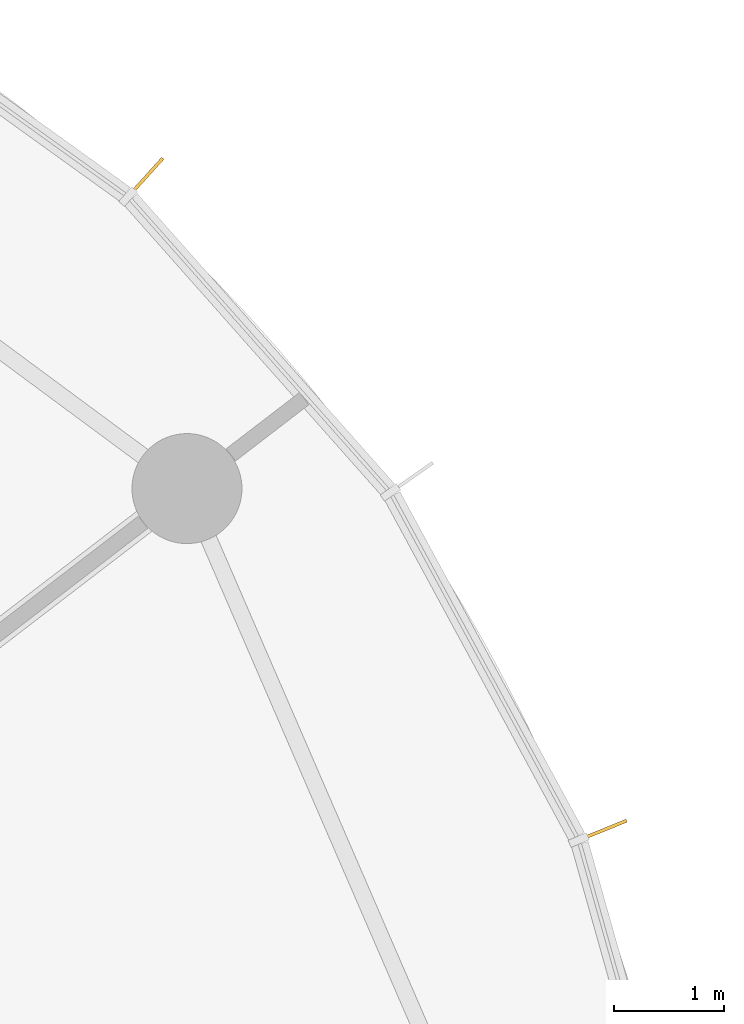
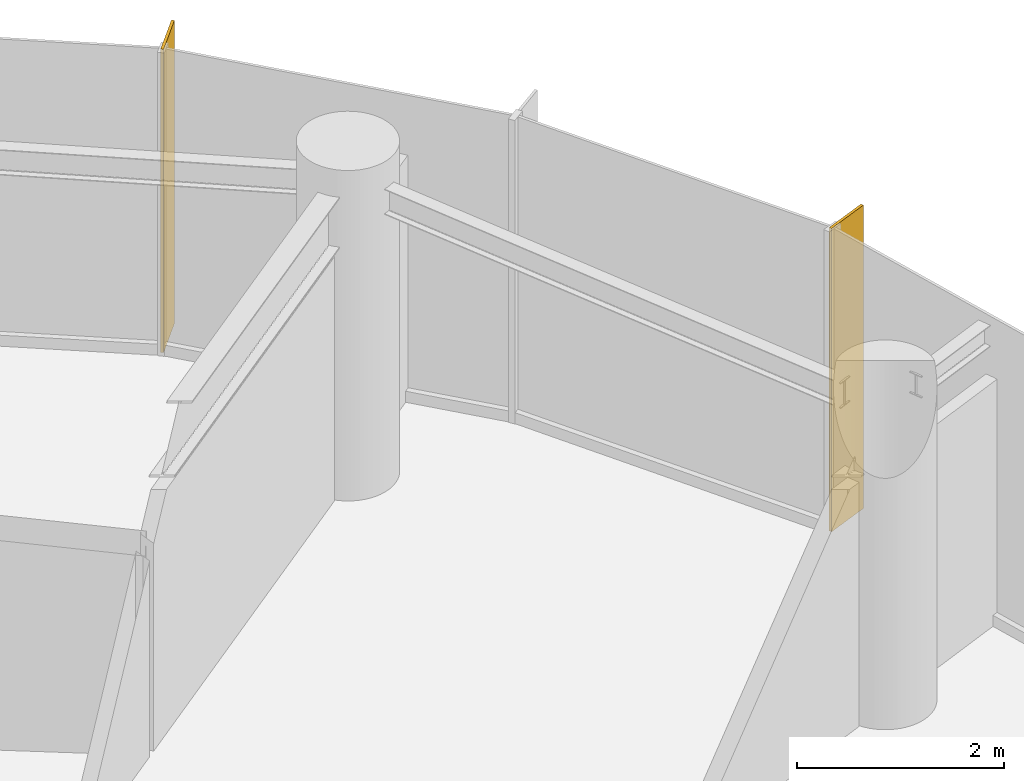
# One storey, part 15 of 15: 2 shading devices.
"""IFC4 building model written with IfcOpenShell, lengths in metres."""

from ifc_helpers import new_model, si_unit, direction, frame, origin, origin_2d, place, context, subcontext, project, spatial, rectangle, extrude, source, transform, mapped, material, material_profile, profile_set, type_object, element, save


model = new_model("IFC4")

# Units and contexts
model_context = context("Model", 3, precision=1e-05, world=origin(), true_north=direction((0.0, 1.0)))
body_context = subcontext(model_context, "Body", "Model", "MODEL_VIEW")
ifc_project = project(units=[si_unit("LENGTHUNIT", "METRE"), si_unit("AREAUNIT", "SQUARE_METRE"), si_unit("VOLUMEUNIT", "CUBIC_METRE"), si_unit("PLANEANGLEUNIT", "RADIAN"), si_unit("MASSUNIT", "GRAM", prefix="KILO")], contexts=[model_context])

# Site, building, storey
site_placement = place(None, origin())
site = spatial("IfcSite", under=ifc_project, at=site_placement, CompositionType="ELEMENT")
building_placement = place(site_placement, origin())
building = spatial("IfcBuilding", under=site, at=building_placement, Name="Spindrift Exchange Tower", CompositionType="ELEMENT")
storey_placement = place(building_placement, frame((0.0, 0.0, 168.199951171875)))
storey = spatial("IfcBuildingStorey", under=building, at=storey_placement, Name="L40", CompositionType="ELEMENT", Elevation=168.199951171875)

# Shading devices
ifc_material = material(Name="Bronze anodised aluminium", Category="aluminium")
ifc_material_profile = material_profile(ifc_material, rectangle(XDim=0.030029296875, YDim=0.5, at=origin_2d()), Name="WIND FIN 30X500")
ifc_profile_set = profile_set([ifc_material_profile], Name="Bronze anodised aluminium")
shading_device_type = type_object("IfcShadingDeviceType", Name="WIND FIN 30X500", PredefinedType="USERDEFINED", material=ifc_profile_set)
shared_shape = source(origin(), body_context, "Body", "SweptSolid", [
    extrude(rectangle(XDim=0.030029296875, YDim=0.5, at=origin_2d()), origin(), (0.0, 0.0, 1.0), 3.580078125),
])
for number, where, z_axis, x_axis, name in (
    (1, (71.438720703125, 66.031005859375, 0.0), (0.0, 0.0, 1.0), (-0.742166539723, 0.670215508113, 0.0), "L40 wind fin 3"),
    (2, (75.592041015625, 60.099609375, 0.0), (0.0, 0.0, 1.0), (-0.375963895588, 0.92663431256, 0.0), "L40 wind fin 4"),
):
    element("IfcShadingDevice", number, at=place(storey_placement, frame(where, z_axis=z_axis, x_axis=x_axis)), inside=storey, type_object=shading_device_type, Name=name, ObjectType="FIN", PredefinedType="USERDEFINED", context=body_context, shape_type="MappedRepresentation", body=[
        mapped(shared_shape, transform((0.0, 0.0, 0.0), scale=1.0)),
    ])

save(model, "model.ifc")
